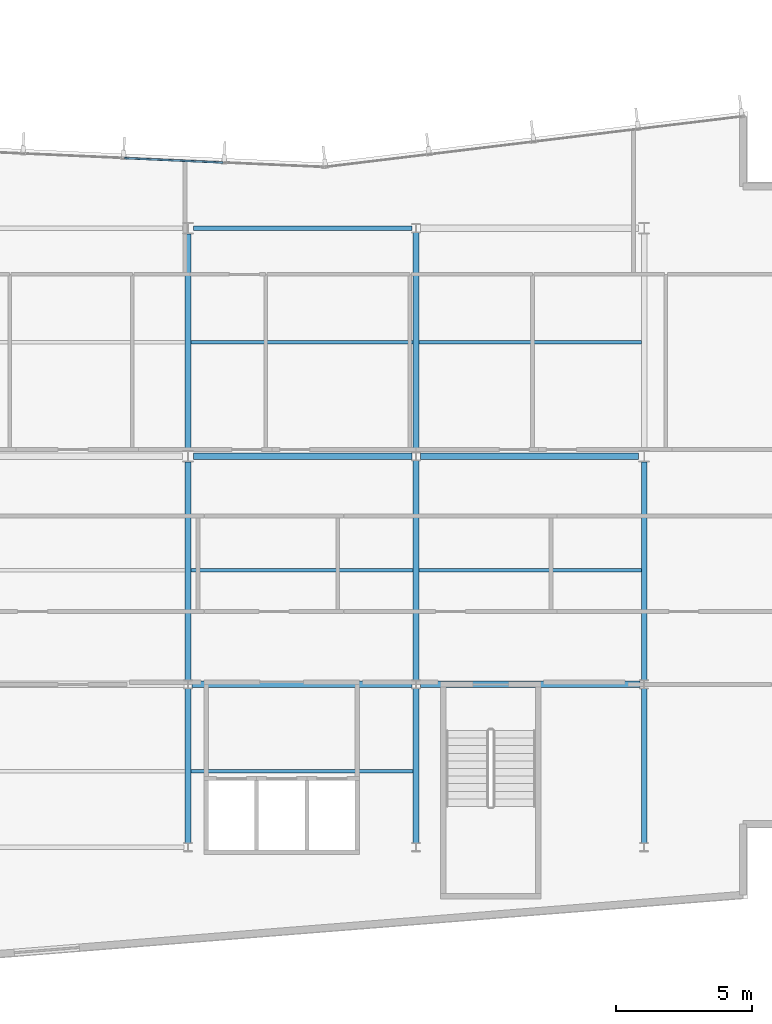
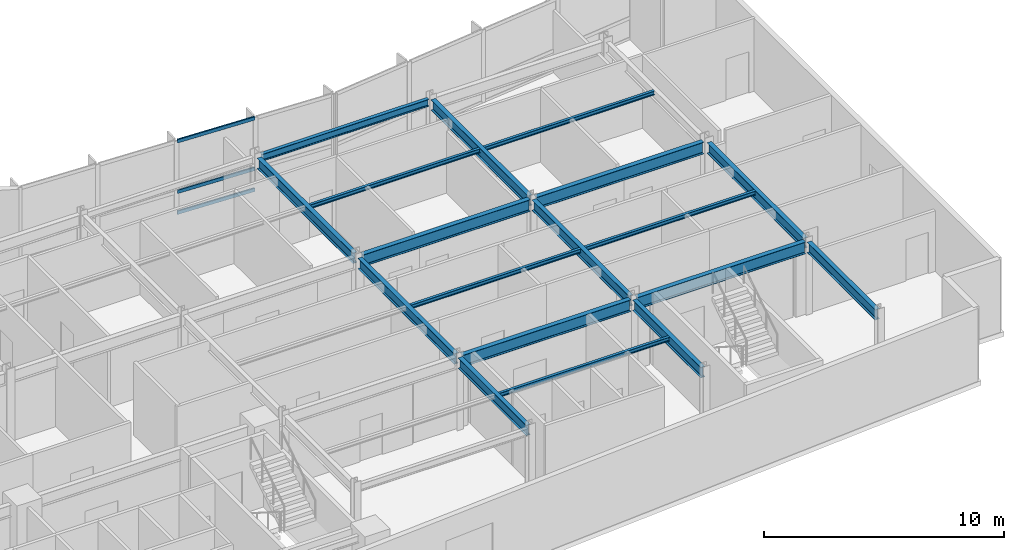
# One storey, part 5 of 17: 18 beams, 3 members, 1 element without a shape of its own.
"""IFC4 building model written with IfcOpenShell, lengths in metres."""

from ifc_helpers import new_model, si_unit, direction, frame, origin, origin_2d, place, context, subcontext, project, spatial, hollow_rectangle, i_section, extrude, material, layer, layer_set, material_profile, profile_set, type_object, element, aggregate, save


model = new_model("IFC4")

# Units and contexts
model_context = context("Model", 3, precision=1e-05, world=origin(), true_north=direction((0.0, 1.0)))
body_context = subcontext(model_context, "Body", "Model", "MODEL_VIEW")
ifc_project = project(units=[si_unit("LENGTHUNIT", "METRE"), si_unit("AREAUNIT", "SQUARE_METRE"), si_unit("VOLUMEUNIT", "CUBIC_METRE"), si_unit("PLANEANGLEUNIT", "RADIAN"), si_unit("MASSUNIT", "GRAM", prefix="KILO")], contexts=[model_context])

# Site, building, storey
site_placement = place(None, origin())
site = spatial("IfcSite", under=ifc_project, at=site_placement, CompositionType="ELEMENT")
building_placement = place(site_placement, origin())
building = spatial("IfcBuilding", under=site, at=building_placement, Name="Varnakote Quay Hospital", CompositionType="ELEMENT")
storey_placement = place(building_placement, frame((0.0, 0.0, 134.949951171875)))
storey = spatial("IfcBuildingStorey", under=building, at=storey_placement, Name="L33", CompositionType="ELEMENT", Elevation=134.949951171875)

# Beams
ifc_material_1 = material(Name="Structural steel AS/NZS 3679.1 Grade 350 L0 (fy 340 MPa)", Category="steel")
ifc_material_profile_1 = material_profile(ifc_material_1, i_section(OverallWidth=0.208984375, OverallDepth=0.532958984375, WebThickness=0.01025390625, FlangeThickness=0.015625, FilletRadius=0.013916015625, at=origin_2d()), Name="530UB92.4")
ifc_profile_set_1 = profile_set([ifc_material_profile_1], Name="Structural steel AS/NZS 3679.1 Grade 350 L0 (fy 340 MPa)")
beam_type_1 = type_object("IfcBeamType", Name="BM-STL-530UB92-4", PredefinedType="BEAM", material=ifc_profile_set_1)
beam_1_placement = place(storey_placement, frame((33.60009765625, 6.160400390625, 3.443603515625), z_axis=(0.0, 1.0, 0.0), x_axis=(-1.0, 0.0, 0.0)))
element("IfcBeam", 1, at=beam_1_placement, inside=storey, type_object=beam_type_1, Name="L33 Primary Tie Beam", PredefinedType="BEAM", context=body_context, shape_type="SweptSolid", body=[
    extrude(i_section(OverallWidth=0.208984375, OverallDepth=0.532958984375, WebThickness=0.01025390625, FlangeThickness=0.015625, FilletRadius=0.013916015625, at=origin_2d()), origin(), (0.0, 0.0, 1.0), 5.67919921875),
])
beam_2_placement = place(storey_placement, frame((33.60009765625, 12.160400390625, 3.443603515625), z_axis=(0.0, 1.0, 0.0), x_axis=(-1.0, 0.0, 0.0)))
element("IfcBeam", 2, at=beam_2_placement, inside=storey, type_object=beam_type_1, Name="L33 Primary Tie Beam", PredefinedType="BEAM", context=body_context, shape_type="SweptSolid", body=[
    extrude(i_section(OverallWidth=0.208984375, OverallDepth=0.532958984375, WebThickness=0.01025390625, FlangeThickness=0.015625, FilletRadius=0.013916015625, at=origin_2d()), origin(), (0.0, 0.0, 1.0), 8.029541015625),
])
beam_3_placement = place(storey_placement, frame((33.60009765625, 20.610107421875, 3.443603515625), z_axis=(0.0, 1.0, 0.0), x_axis=(-1.0, 0.0, 0.0)))
element("IfcBeam", 3, at=beam_3_placement, inside=storey, type_object=beam_type_1, Name="L33 Primary Tie Beam", PredefinedType="BEAM", context=body_context, shape_type="SweptSolid", body=[
    extrude(i_section(OverallWidth=0.208984375, OverallDepth=0.532958984375, WebThickness=0.01025390625, FlangeThickness=0.015625, FilletRadius=0.013916015625, at=origin_2d()), origin(), (0.0, 0.0, 1.0), 7.97998046875),
])
beam_4_placement = place(storey_placement, frame((42.0, 6.160400390625, 3.443603515625), z_axis=(0.0, 1.0, 0.0), x_axis=(-1.0, 0.0, 0.0)))
element("IfcBeam", 4, at=beam_4_placement, inside=storey, type_object=beam_type_1, Name="L33 Primary Tie Beam", PredefinedType="BEAM", context=body_context, shape_type="SweptSolid", body=[
    extrude(i_section(OverallWidth=0.208984375, OverallDepth=0.532958984375, WebThickness=0.01025390625, FlangeThickness=0.015625, FilletRadius=0.013916015625, at=origin_2d()), origin(), (0.0, 0.0, 1.0), 5.67919921875),
])
beam_5_placement = place(storey_placement, frame((42.0, 12.160400390625, 3.443603515625), z_axis=(0.0, 1.0, 0.0), x_axis=(-1.0, 0.0, 0.0)))
element("IfcBeam", 5, at=beam_5_placement, inside=storey, type_object=beam_type_1, Name="L33 Primary Tie Beam", PredefinedType="BEAM", context=body_context, shape_type="SweptSolid", body=[
    extrude(i_section(OverallWidth=0.208984375, OverallDepth=0.532958984375, WebThickness=0.01025390625, FlangeThickness=0.015625, FilletRadius=0.013916015625, at=origin_2d()), origin(), (0.0, 0.0, 1.0), 8.0791015625),
])
beam_6_placement = place(storey_placement, frame((42.0, 20.560546875, 3.443603515625), z_axis=(0.0, 1.0, 0.0), x_axis=(-1.0, 0.0, 0.0)))
element("IfcBeam", 6, at=beam_6_placement, inside=storey, type_object=beam_type_1, Name="L33 Primary Tie Beam", PredefinedType="BEAM", context=body_context, shape_type="SweptSolid", body=[
    extrude(i_section(OverallWidth=0.208984375, OverallDepth=0.532958984375, WebThickness=0.01025390625, FlangeThickness=0.015625, FilletRadius=0.013916015625, at=origin_2d()), origin(), (0.0, 0.0, 1.0), 8.078857421875),
])
beam_7_placement = place(storey_placement, frame((50.39990234375, 6.160400390625, 3.443603515625), z_axis=(0.0, 1.0, 0.0), x_axis=(-1.0, 0.0, 0.0)))
element("IfcBeam", 7, at=beam_7_placement, inside=storey, type_object=beam_type_1, Name="L33 Primary Tie Beam", PredefinedType="BEAM", context=body_context, shape_type="SweptSolid", body=[
    extrude(i_section(OverallWidth=0.208984375, OverallDepth=0.532958984375, WebThickness=0.01025390625, FlangeThickness=0.015625, FilletRadius=0.013916015625, at=origin_2d()), origin(), (0.0, 0.0, 1.0), 5.67919921875),
])
beam_8_placement = place(storey_placement, frame((50.39990234375, 12.160400390625, 3.443603515625), z_axis=(0.0, 1.0, 0.0), x_axis=(-1.0, 0.0, 0.0)))
element("IfcBeam", 8, at=beam_8_placement, inside=storey, type_object=beam_type_1, Name="L33 Primary Tie Beam", PredefinedType="BEAM", context=body_context, shape_type="SweptSolid", body=[
    extrude(i_section(OverallWidth=0.208984375, OverallDepth=0.532958984375, WebThickness=0.01025390625, FlangeThickness=0.015625, FilletRadius=0.013916015625, at=origin_2d()), origin(), (0.0, 0.0, 1.0), 8.029541015625),
])
ifc_material_2 = material(Name="Structural steel AS/NZS 3679.1 Grade 350 L0 (fy 340 MPa)", Category="steel")
ifc_material_profile_2 = material_profile(ifc_material_2, i_section(OverallWidth=0.22802734375, OverallDepth=0.60205078125, WebThickness=0.010498046875, FlangeThickness=0.014892578125, FilletRadius=0.013916015625, at=origin_2d()), Name="610UB101")
ifc_profile_set_2 = profile_set([ifc_material_profile_2], Name="Structural steel AS/NZS 3679.1 Grade 350 L0 (fy 340 MPa)")
beam_type_2 = type_object("IfcBeamType", Name="BM-STL-610UB101", PredefinedType="BEAM", material=ifc_profile_set_2)
for number, where, z_axis, x_axis, name in (
    (9, (33.75439453125, 12.0, 3.408935546875), (1.0, 0.0, 0.0), (0.0, 1.0, 0.0), "L33 Primary Floor Beam"),
    (10, (42.154541015625, 12.0, 3.408935546875), (1.0, 0.0, 0.0), (0.0, 1.0, 0.0), "L33 Primary Floor Beam"),
):
    element("IfcBeam", number, at=place(storey_placement, frame(where, z_axis=z_axis, x_axis=x_axis)), inside=storey, type_object=beam_type_2, Name=name, PredefinedType="BEAM", context=body_context, shape_type="SweptSolid", body=[
        extrude(i_section(OverallWidth=0.22802734375, OverallDepth=0.60205078125, WebThickness=0.010498046875, FlangeThickness=0.014892578125, FilletRadius=0.013916015625, at=origin_2d()), origin(), (0.0, 0.0, 1.0), 8.091064453125),
    ])
for number, where, z_axis, x_axis, name in (
    (11, (33.800048828125, 20.39990234375, 3.408935546875), (1.0, 0.0, 0.0), (0.0, 1.0, 0.0), "L33 Primary Floor Beam"),
    (12, (42.154541015625, 20.39990234375, 3.408935546875), (1.0, 0.0, 0.0), (0.0, 1.0, 0.0), "L33 Primary Floor Beam"),
):
    element("IfcBeam", number, at=place(storey_placement, frame(where, z_axis=z_axis, x_axis=x_axis)), inside=storey, type_object=beam_type_2, Name=name, PredefinedType="BEAM", context=body_context, shape_type="SweptSolid", body=[
        extrude(i_section(OverallWidth=0.22802734375, OverallDepth=0.60205078125, WebThickness=0.010498046875, FlangeThickness=0.014892578125, FilletRadius=0.013916015625, at=origin_2d()), origin(), (0.0, 0.0, 1.0), 8.04541015625),
    ])

# Curtain wall, members
ifc_material_3 = material(Name="Anodised aluminium 6063-T6 Bronze", Category="aluminium")
ifc_layer = layer(ifc_material_3, 0.205078125)
ifc_layer_set = layer_set([ifc_layer], Name="Anodised aluminium 6063-T6 Bronze")
curtain_wall_type = type_object("IfcCurtainWallType", Name="CW-SYS-3", PredefinedType="NOTDEFINED", material=ifc_layer_set)
curtain_wall_placement = place(storey_placement, origin())
curtain_wall = element("IfcCurtainWall", 13, at=curtain_wall_placement, inside=storey, type_object=curtain_wall_type, Name="L33 Unitised Bronze Curtain Wall 2", PredefinedType="NOTDEFINED")
ifc_material_4 = material(Name="Anodised aluminium 6063-T6 Bronze", Category="aluminium")
ifc_material_profile_3 = material_profile(ifc_material_4, hollow_rectangle(XDim=0.074951171875, YDim=0.179931640625, WallThickness=0.004150390625, InnerFilletRadius=0.004150390625, OuterFilletRadius=0.00830078125, at=origin_2d()), Name="CW-TRAN-180x75")
ifc_profile_set_3 = profile_set([ifc_material_profile_3], Name="Anodised aluminium 6063-T6 Bronze")
member_type = type_object("IfcMemberType", Name="CW-TRAN-180x75", PredefinedType="USERDEFINED", material=ifc_profile_set_3)
member_1_placement = place(storey_placement, frame((34.8896484375, 31.21923828125, 0.03759765625), z_axis=(-0.99899730508, 0.044770352277, 0.0), x_axis=(-0.044770352277, -0.99899730508, 0.0)))
member_1 = element("IfcMember", 14, at=member_1_placement, type_object=member_type, Name="-3-L33-2 transom 2.1", ObjectType="TRANSOM", PredefinedType="USERDEFINED", context=body_context, shape_type="SweptSolid", body=[
    extrude(hollow_rectangle(XDim=0.074951171875, YDim=0.179931640625, WallThickness=0.004150390625, InnerFilletRadius=0.004150390625, OuterFilletRadius=0.00830078125, at=origin_2d()), origin(), (0.0, 0.0, 1.0), 3.6318359375),
])
member_2_placement = place(storey_placement, frame((34.8896484375, 31.21923828125, 1.10009765625), z_axis=(-0.99899730508, 0.044770352277, 0.0), x_axis=(-0.044770352277, -0.99899730508, 0.0)))
member_2 = element("IfcMember", 15, at=member_2_placement, type_object=member_type, Name="-3-L33-2 transom 2.2", ObjectType="TRANSOM", PredefinedType="USERDEFINED", context=body_context, shape_type="SweptSolid", body=[
    extrude(hollow_rectangle(XDim=0.074951171875, YDim=0.179931640625, WallThickness=0.004150390625, InnerFilletRadius=0.004150390625, OuterFilletRadius=0.00830078125, at=origin_2d()), origin(), (0.0, 0.0, 1.0), 3.6318359375),
])
member_3_placement = place(storey_placement, frame((34.8896484375, 31.21923828125, 3.672607421875), z_axis=(-0.99899730508, 0.044770352277, 0.0), x_axis=(-0.044770352277, -0.99899730508, 0.0)))
member_3 = element("IfcMember", 16, at=member_3_placement, type_object=member_type, Name="-3-L33-2 transom 2.3", ObjectType="TRANSOM", PredefinedType="USERDEFINED", context=body_context, shape_type="SweptSolid", body=[
    extrude(hollow_rectangle(XDim=0.074951171875, YDim=0.179931640625, WallThickness=0.004150390625, InnerFilletRadius=0.004150390625, OuterFilletRadius=0.00830078125, at=origin_2d()), origin(), (0.0, 0.0, 1.0), 3.6318359375),
])
aggregate(curtain_wall, [member_1, member_2, member_3])

# Beams
ifc_material_5 = material(Name="Structural steel AS/NZS 3679.1 Grade 350 L0 (fy 340 MPa)", Category="steel")
ifc_material_profile_4 = material_profile(ifc_material_5, i_section(OverallWidth=0.134033203125, OverallDepth=0.20703125, WebThickness=0.00634765625, FlangeThickness=0.009521484375, FilletRadius=0.0087890625, at=origin_2d()), Name="200UB29.8")
ifc_profile_set_4 = profile_set([ifc_material_profile_4], Name="Structural steel AS/NZS 3679.1 Grade 350 L0 (fy 340 MPa)")
beam_type_3 = type_object("IfcBeamType", Name="JST-STL-200UB29-8", PredefinedType="JOIST", material=ifc_profile_set_4)
for number, where, z_axis, x_axis, name in (
    (17, (33.70458984375, 8.800048828125, 3.6064453125), (1.0, 0.0, 0.0), (0.0, 1.0, 0.0), "L33 Composite Floor Joist"),
    (18, (33.70458984375, 16.199951171875, 3.6064453125), (1.0, 0.0, 0.0), (0.0, 1.0, 0.0), "L33 Composite Floor Joist"),
    (19, (42.1044921875, 16.199951171875, 3.6064453125), (1.0, 0.0, 0.0), (0.0, 1.0, 0.0), "L33 Composite Floor Joist"),
    (20, (33.70458984375, 24.60009765625, 3.6064453125), (1.0, 0.0, 0.0), (0.0, 1.0, 0.0), "L33 Composite Floor Joist"),
    (21, (42.1044921875, 24.60009765625, 3.6064453125), (1.0, 0.0, 0.0), (0.0, 1.0, 0.0), "L33 Composite Floor Joist"),
):
    element("IfcBeam", number, at=place(storey_placement, frame(where, z_axis=z_axis, x_axis=x_axis)), inside=storey, type_object=beam_type_3, Name=name, PredefinedType="JOIST", context=body_context, shape_type="SweptSolid", body=[
        extrude(i_section(OverallWidth=0.134033203125, OverallDepth=0.20703125, WebThickness=0.00634765625, FlangeThickness=0.009521484375, FilletRadius=0.0087890625, at=origin_2d()), origin(), (0.0, 0.0, 1.0), 8.19091796875),
    ])
ifc_material_6 = material(Name="Structural steel AS/NZS 3679.1 Grade 350 L0 (fy 340 MPa)", Category="steel")
ifc_material_profile_5 = material_profile(ifc_material_6, i_section(OverallWidth=0.172119140625, OverallDepth=0.35888671875, WebThickness=0.008056640625, FlangeThickness=0.012939453125, FilletRadius=0.011474609375, at=origin_2d()), Name="360UB56.7")
ifc_profile_set_5 = profile_set([ifc_material_profile_5], Name="Structural steel AS/NZS 3679.1 Grade 350 L0 (fy 340 MPa)")
beam_type_4 = type_object("IfcBeamType", Name="SPN-STL-360UB56-7", PredefinedType="SPANDREL", material=ifc_profile_set_5)
beam_9_placement = place(storey_placement, frame((33.800048828125, 28.800048828125, 3.530517578125), z_axis=(1.0, 0.0, 0.0), x_axis=(0.0, 1.0, 0.0)))
element("IfcBeam", 22, at=beam_9_placement, inside=storey, type_object=beam_type_4, Name="L33 Perimeter Spandrel Beam", PredefinedType="SPANDREL", context=body_context, shape_type="SweptSolid", body=[
    extrude(i_section(OverallWidth=0.172119140625, OverallDepth=0.35888671875, WebThickness=0.008056640625, FlangeThickness=0.012939453125, FilletRadius=0.011474609375, at=origin_2d()), origin(), (0.0, 0.0, 1.0), 8.04541015625),
])

save(model, "model.ifc")
